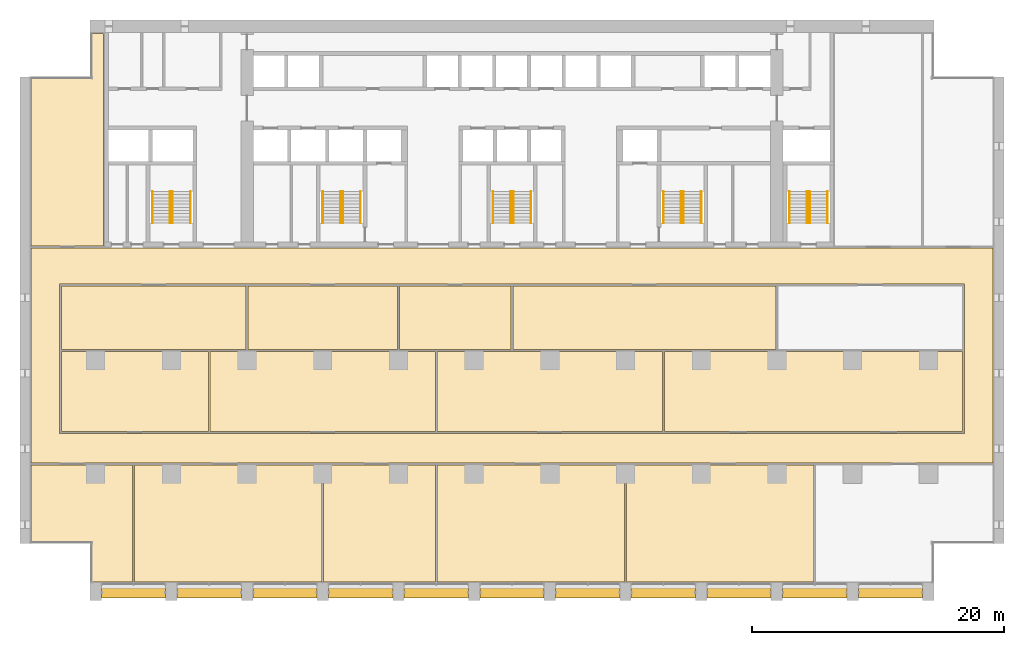
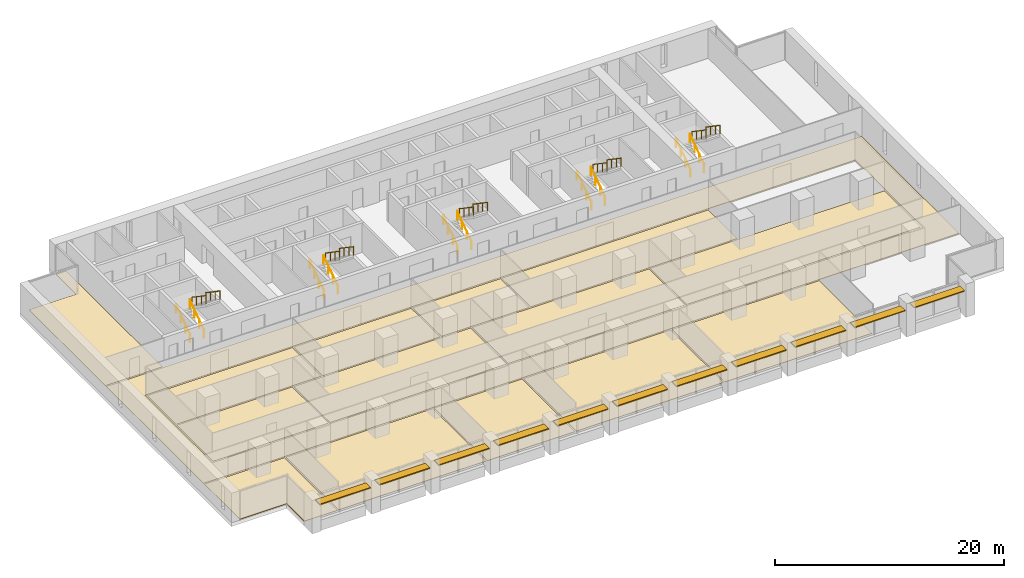
# One storey, part 17 of 18: 20 railings, 15 coverings, 11 shading devices, 5 elements without a shape of their own.
"""IFC4 building model written with IfcOpenShell, lengths in metres."""

from ifc_helpers import new_model, si_unit, direction, frame, origin, origin_2d, place, context, subcontext, project, spatial, polyline, rectangle, circle, outline, extrude, material, layer, layer_set, material_profile, profile_set, type_object, element, aggregate, save


model = new_model("IFC4")

# Units and contexts
model_context = context("Model", 3, precision=1e-05, world=origin(), true_north=direction((0.0, 1.0)))
body_context = subcontext(model_context, "Body", "Model", "MODEL_VIEW")
ifc_project = project(units=[si_unit("LENGTHUNIT", "METRE"), si_unit("AREAUNIT", "SQUARE_METRE"), si_unit("VOLUMEUNIT", "CUBIC_METRE"), si_unit("PLANEANGLEUNIT", "RADIAN"), si_unit("MASSUNIT", "GRAM", prefix="KILO")], contexts=[model_context])

# Site, building, storey
site_placement = place(None, origin())
site = spatial("IfcSite", under=ifc_project, at=site_placement, CompositionType="ELEMENT")
building_placement = place(site_placement, origin())
building = spatial("IfcBuilding", under=site, at=building_placement, Name="Calvaro Tower", CompositionType="ELEMENT")
storey_placement = place(building_placement, frame((0.0, 0.0, 86.25)))
storey = spatial("IfcBuildingStorey", under=building, at=storey_placement, Name="L21", CompositionType="ELEMENT", Elevation=86.25)

# Shading devices
ifc_material_1 = material(Name="Anodised aluminium", Category="aluminium")
ifc_material_profile = material_profile(ifc_material_1, rectangle(XDim=0.800048828125, YDim=0.10009765625, at=origin_2d()), Name="Brise-soleil blade 800 x 100")
ifc_profile_set = profile_set([ifc_material_profile], Name="Anodised aluminium")
shading_device_type = type_object("IfcShadingDeviceType", Name="Brise-soleil blade 800 x 100", PredefinedType="JALOUSIE", material=ifc_profile_set)
for number, where, z_axis, x_axis, name in (
    (1, (6.449951171875, 0.60009765625, 2.300048828125), (1.0, 0.0, 0.0), (0.0, 1.0, 0.0), "Brise-soleil blade 1"),
    (2, (12.449951171875, 0.60009765625, 2.300048828125), (1.0, 0.0, 0.0), (0.0, 1.0, 0.0), "Brise-soleil blade 2"),
    (3, (18.449951171875, 0.60009765625, 2.300048828125), (1.0, 0.0, 0.0), (0.0, 1.0, 0.0), "Brise-soleil blade 3"),
    (4, (24.449951171875, 0.60009765625, 2.300048828125), (1.0, 0.0, 0.0), (0.0, 1.0, 0.0), "Brise-soleil blade 4"),
    (5, (30.449951171875, 0.60009765625, 2.300048828125), (1.0, 0.0, 0.0), (0.0, 1.0, 0.0), "Brise-soleil blade 5"),
    (6, (36.449951171875, 0.60009765625, 2.300048828125), (1.0, 0.0, 0.0), (0.0, 1.0, 0.0), "Brise-soleil blade 6"),
    (7, (42.449951171875, 0.60009765625, 2.300048828125), (1.0, 0.0, 0.0), (0.0, 1.0, 0.0), "Brise-soleil blade 7"),
    (8, (48.449951171875, 0.60009765625, 2.300048828125), (1.0, 0.0, 0.0), (0.0, 1.0, 0.0), "Brise-soleil blade 8"),
    (9, (54.449951171875, 0.60009765625, 2.300048828125), (1.0, 0.0, 0.0), (0.0, 1.0, 0.0), "Brise-soleil blade 9"),
    (10, (60.449951171875, 0.60009765625, 2.300048828125), (1.0, 0.0, 0.0), (0.0, 1.0, 0.0), "Brise-soleil blade 10"),
    (11, (66.449951171875, 0.60009765625, 2.300048828125), (1.0, 0.0, 0.0), (0.0, 1.0, 0.0), "Brise-soleil blade 11"),
):
    element("IfcShadingDevice", number, at=place(storey_placement, frame(where, z_axis=z_axis, x_axis=x_axis)), inside=storey, type_object=shading_device_type, Name=name, PredefinedType="JALOUSIE", context=body_context, shape_type="SweptSolid", body=[
        extrude(rectangle(XDim=0.800048828125, YDim=0.10009765625, at=origin_2d()), origin(), (0.0, 0.0, 1.0), 5.10009765625),
    ])

# Coverings
ifc_material_2 = material(Name="Cement screed with carpet tile finish")
ifc_layer = layer(ifc_material_2, 0.050048828125)
ifc_layer_set = layer_set([ifc_layer], Name="Cement screed with carpet tile finish")
covering_type = type_object("IfcCoveringType", Name="Floor finish 50", PredefinedType="FLOORING", material=ifc_layer_set)
covering_1_placement = place(storey_placement, origin())
element("IfcCovering", 12, at=covering_1_placement, inside=storey, type_object=covering_type, Name="Floor finish 14.01", PredefinedType="FLOORING", context=body_context, shape_type="SweptSolid", body=[
    extrude(outline(polyline([(0.8701171875, 10.8701171875), (0.8701171875, 27.929931640625), (77.1298828125, 27.929931640625), (77.1298828125, 10.8701171875), (0.8701171875, 10.8701171875)]), holes=[polyline([(74.8701171875, 13.22998046875), (74.8701171875, 25.070068359375), (3.1298828125, 25.070068359375), (3.1298828125, 13.22998046875), (74.8701171875, 13.22998046875)])]), origin(), (0.0, 0.0, 1.0), 0.050048828125),
])
covering_2_placement = place(storey_placement, origin())
element("IfcCovering", 13, at=covering_2_placement, inside=storey, type_object=covering_type, Name="Floor finish 14.07", PredefinedType="FLOORING", context=body_context, shape_type="SweptSolid", body=[
    extrude(outline(polyline([(8.929931640625, 10.72998046875), (8.929931640625, 1.469970703125), (5.6201171875, 1.469970703125), (5.6201171875, 4.570068359375), (0.8701171875, 4.570068359375), (0.8701171875, 10.72998046875), (8.929931640625, 10.72998046875)])), origin(), (0.0, 0.0, 1.0), 0.050048828125),
])
covering_3_placement = place(storey_placement, origin())
element("IfcCovering", 14, at=covering_3_placement, inside=storey, type_object=covering_type, Name="Floor finish 14.02", PredefinedType="FLOORING", context=body_context, shape_type="SweptSolid", body=[
    extrude(outline(polyline([(9.070068359375, 10.72998046875), (23.929931640625, 10.72998046875), (23.929931640625, 1.469970703125), (9.070068359375, 1.469970703125), (9.070068359375, 10.72998046875)])), origin(), (0.0, 0.0, 1.0), 0.050048828125),
])
covering_4_placement = place(storey_placement, origin())
element("IfcCovering", 15, at=covering_4_placement, inside=storey, type_object=covering_type, Name="Floor finish 14.03", PredefinedType="FLOORING", context=body_context, shape_type="SweptSolid", body=[
    extrude(outline(polyline([(24.070068359375, 10.72998046875), (32.929931640625, 10.72998046875), (32.929931640625, 1.469970703125), (24.070068359375, 1.469970703125), (24.070068359375, 10.72998046875)])), origin(), (0.0, 0.0, 1.0), 0.050048828125),
])
covering_5_placement = place(storey_placement, origin())
element("IfcCovering", 16, at=covering_5_placement, inside=storey, type_object=covering_type, Name="Floor finish 14.04", PredefinedType="FLOORING", context=body_context, shape_type="SweptSolid", body=[
    extrude(outline(polyline([(33.070068359375, 10.72998046875), (47.929931640625, 10.72998046875), (47.929931640625, 1.469970703125), (33.070068359375, 1.469970703125), (33.070068359375, 10.72998046875)])), origin(), (0.0, 0.0, 1.0), 0.050048828125),
])
covering_6_placement = place(storey_placement, origin())
element("IfcCovering", 17, at=covering_6_placement, inside=storey, type_object=covering_type, Name="Floor finish 14.05", PredefinedType="FLOORING", context=body_context, shape_type="SweptSolid", body=[
    extrude(outline(polyline([(48.070068359375, 10.72998046875), (62.929931640625, 10.72998046875), (62.929931640625, 1.469970703125), (48.070068359375, 1.469970703125), (48.070068359375, 10.72998046875)])), origin(), (0.0, 0.0, 1.0), 0.050048828125),
])
covering_7_placement = place(storey_placement, origin())
element("IfcCovering", 18, at=covering_7_placement, inside=storey, type_object=covering_type, Name="Floor finish 14.08", PredefinedType="FLOORING", context=body_context, shape_type="SweptSolid", body=[
    extrude(outline(polyline([(3.27001953125, 13.3701171875), (3.27001953125, 19.72998046875), (14.929931640625, 19.72998046875), (14.929931640625, 13.3701171875), (3.27001953125, 13.3701171875)])), origin(), (0.0, 0.0, 1.0), 0.050048828125),
])
covering_8_placement = place(storey_placement, origin())
element("IfcCovering", 19, at=covering_8_placement, inside=storey, type_object=covering_type, Name="Floor finish 14.09", PredefinedType="FLOORING", context=body_context, shape_type="SweptSolid", body=[
    extrude(outline(polyline([(15.070068359375, 13.3701171875), (15.070068359375, 19.72998046875), (32.929931640625, 19.72998046875), (32.929931640625, 13.3701171875), (15.070068359375, 13.3701171875)])), origin(), (0.0, 0.0, 1.0), 0.050048828125),
])
covering_9_placement = place(storey_placement, origin())
element("IfcCovering", 20, at=covering_9_placement, inside=storey, type_object=covering_type, Name="Floor finish 14.10", PredefinedType="FLOORING", context=body_context, shape_type="SweptSolid", body=[
    extrude(outline(polyline([(33.070068359375, 13.3701171875), (33.070068359375, 19.72998046875), (50.929931640625, 19.72998046875), (50.929931640625, 13.3701171875), (33.070068359375, 13.3701171875)])), origin(), (0.0, 0.0, 1.0), 0.050048828125),
])
covering_10_placement = place(storey_placement, origin())
element("IfcCovering", 21, at=covering_10_placement, inside=storey, type_object=covering_type, Name="Floor finish 14.11", PredefinedType="FLOORING", context=body_context, shape_type="SweptSolid", body=[
    extrude(outline(polyline([(51.070068359375, 13.3701171875), (51.070068359375, 19.72998046875), (74.72998046875, 19.72998046875), (74.72998046875, 13.3701171875), (51.070068359375, 13.3701171875)])), origin(), (0.0, 0.0, 1.0), 0.050048828125),
])
covering_11_placement = place(storey_placement, origin())
element("IfcCovering", 22, at=covering_11_placement, inside=storey, type_object=covering_type, Name="Floor finish 14.12", PredefinedType="FLOORING", context=body_context, shape_type="SweptSolid", body=[
    extrude(outline(polyline([(3.27001953125, 19.8701171875), (3.27001953125, 24.929931640625), (17.929931640625, 24.929931640625), (17.929931640625, 19.8701171875), (3.27001953125, 19.8701171875)])), origin(), (0.0, 0.0, 1.0), 0.050048828125),
])
covering_12_placement = place(storey_placement, origin())
element("IfcCovering", 23, at=covering_12_placement, inside=storey, type_object=covering_type, Name="Floor finish 14.13", PredefinedType="FLOORING", context=body_context, shape_type="SweptSolid", body=[
    extrude(outline(polyline([(18.070068359375, 19.8701171875), (18.070068359375, 24.929931640625), (29.929931640625, 24.929931640625), (29.929931640625, 19.8701171875), (18.070068359375, 19.8701171875)])), origin(), (0.0, 0.0, 1.0), 0.050048828125),
])
covering_13_placement = place(storey_placement, origin())
element("IfcCovering", 24, at=covering_13_placement, inside=storey, type_object=covering_type, Name="Floor finish 14.14", PredefinedType="FLOORING", context=body_context, shape_type="SweptSolid", body=[
    extrude(outline(polyline([(30.070068359375, 19.8701171875), (30.070068359375, 24.929931640625), (38.929931640625, 24.929931640625), (38.929931640625, 19.8701171875), (30.070068359375, 19.8701171875)])), origin(), (0.0, 0.0, 1.0), 0.050048828125),
])
covering_14_placement = place(storey_placement, origin())
element("IfcCovering", 25, at=covering_14_placement, inside=storey, type_object=covering_type, Name="Floor finish 14.15", PredefinedType="FLOORING", context=body_context, shape_type="SweptSolid", body=[
    extrude(outline(polyline([(39.070068359375, 19.8701171875), (39.070068359375, 24.929931640625), (59.929931640625, 24.929931640625), (59.929931640625, 19.8701171875), (39.070068359375, 19.8701171875)])), origin(), (0.0, 0.0, 1.0), 0.050048828125),
])
covering_15_placement = place(storey_placement, origin())
element("IfcCovering", 26, at=covering_15_placement, inside=storey, type_object=covering_type, Name="Floor finish 14.18", PredefinedType="FLOORING", context=body_context, shape_type="SweptSolid", body=[
    extrude(outline(polyline([(6.6298828125, 28.070068359375), (0.8701171875, 28.070068359375), (0.8701171875, 41.429931640625), (5.6201171875, 41.429931640625), (5.6201171875, 44.929931640625), (6.6298828125, 44.929931640625), (6.6298828125, 28.070068359375)])), origin(), (0.0, 0.0, 1.0), 0.050048828125),
])

# Stair, railings
ifc_material_3 = material(Name="Concrete C40/50", Category="concrete")
stair_type = type_object("IfcStairType", Name="Exit stair 1400 2 flights", PredefinedType="HALF_TURN_STAIR", material=ifc_material_3)
stair_1_placement = place(storey_placement, origin())
stair_1 = element("IfcStair", 27, at=stair_1_placement, inside=storey, type_object=stair_type, Name="Exit stair S1", PredefinedType="HALF_TURN_STAIR")
ifc_material_4 = material(Name="Stainless steel", Category="steel")
railing_type = type_object("IfcRailingType", Name="Stair handrail", PredefinedType="HANDRAIL", material=ifc_material_4)
railing_1_placement = place(storey_placement, frame((11.89990234375, 29.89990234375, 0.17041015625)))
railing_1 = element("IfcRailing", 28, at=railing_1_placement, type_object=railing_type, Name="Exit stair 1 handrail", PredefinedType="HANDRAIL", context=body_context, shape_type="SweptSolid", body=[
    extrude(circle(Radius=0.02392578125, at=origin_2d()), frame((0.0, 0.0, 0.8759765625), z_axis=(0.0, 0.826220514629, 0.563346839174), x_axis=(-1.0, 0.0, 0.0)), (0.0, 0.0, 1.0), 3.02587890625),
    extrude(circle(Radius=0.02099609375, at=origin_2d()), frame((0.0, 0.017333984375, 0.01171875)), (0.0, 0.0, 1.0), 0.851806640625),
    extrude(circle(Radius=0.02099609375, at=origin_2d()), frame((0.0, 0.833251953125, 0.568115234375)), (0.0, 0.0, 1.0), 0.851806640625),
    extrude(circle(Radius=0.02099609375, at=origin_2d()), frame((0.0, 1.666748046875, 1.136474609375)), (0.0, 0.0, 1.0), 0.851806640625),
    extrude(circle(Radius=0.02099609375, at=origin_2d()), frame((0.0, 2.482666015625, 1.69287109375)), (0.0, 0.0, 1.0), 0.851806640625),
])
railing_2_placement = place(storey_placement, frame((10.5, 29.89990234375, 0.17041015625)))
railing_2 = element("IfcRailing", 29, at=railing_2_placement, type_object=railing_type, Name="Exit stair 1 handrail", PredefinedType="HANDRAIL", context=body_context, shape_type="SweptSolid", body=[
    extrude(circle(Radius=0.02392578125, at=origin_2d()), frame((0.0, 0.0, 0.8759765625), z_axis=(0.0, 0.826220514629, 0.563346839174), x_axis=(-1.0, 0.0, 0.0)), (0.0, 0.0, 1.0), 3.02587890625),
    extrude(circle(Radius=0.02099609375, at=origin_2d()), frame((0.0, 0.017333984375, 0.01171875)), (0.0, 0.0, 1.0), 0.851806640625),
    extrude(circle(Radius=0.02099609375, at=origin_2d()), frame((0.0, 0.833251953125, 0.568115234375)), (0.0, 0.0, 1.0), 0.851806640625),
    extrude(circle(Radius=0.02099609375, at=origin_2d()), frame((0.0, 1.666748046875, 1.136474609375)), (0.0, 0.0, 1.0), 0.851806640625),
    extrude(circle(Radius=0.02099609375, at=origin_2d()), frame((0.0, 2.482666015625, 1.69287109375)), (0.0, 0.0, 1.0), 0.851806640625),
])
railing_3_placement = place(storey_placement, frame((12.10009765625, 32.39990234375, 2.04541015625)))
railing_3 = element("IfcRailing", 30, at=railing_3_placement, type_object=railing_type, Name="Exit stair 1 handrail", PredefinedType="HANDRAIL", context=body_context, shape_type="SweptSolid", body=[
    extrude(circle(Radius=0.02392578125, at=origin_2d()), frame((0.0, 0.0, 0.8759765625), z_axis=(0.0, -0.826220514629, 0.563346839174), x_axis=(1.0, 0.0, 0.0)), (0.0, 0.0, 1.0), 3.02587890625),
    extrude(circle(Radius=0.02099609375, at=origin_2d()), frame((0.0, -0.017333984375, 0.01171875)), (0.0, 0.0, 1.0), 0.851806640625),
    extrude(circle(Radius=0.02099609375, at=origin_2d()), frame((0.0, -0.833251953125, 0.568115234375)), (0.0, 0.0, 1.0), 0.851806640625),
    extrude(circle(Radius=0.02099609375, at=origin_2d()), frame((0.0, -1.666748046875, 1.136474609375)), (0.0, 0.0, 1.0), 0.851806640625),
    extrude(circle(Radius=0.02099609375, at=origin_2d()), frame((0.0, -2.482666015625, 1.69287109375)), (0.0, 0.0, 1.0), 0.851806640625),
])
railing_4_placement = place(storey_placement, frame((13.5, 32.39990234375, 2.04541015625)))
railing_4 = element("IfcRailing", 31, at=railing_4_placement, type_object=railing_type, Name="Exit stair 1 handrail", PredefinedType="HANDRAIL", context=body_context, shape_type="SweptSolid", body=[
    extrude(circle(Radius=0.02392578125, at=origin_2d()), frame((0.0, 0.0, 0.8759765625), z_axis=(0.0, -0.826220514629, 0.563346839174), x_axis=(1.0, 0.0, 0.0)), (0.0, 0.0, 1.0), 3.02587890625),
    extrude(circle(Radius=0.02099609375, at=origin_2d()), frame((0.0, -0.017333984375, 0.01171875)), (0.0, 0.0, 1.0), 0.851806640625),
    extrude(circle(Radius=0.02099609375, at=origin_2d()), frame((0.0, -0.833251953125, 0.568115234375)), (0.0, 0.0, 1.0), 0.851806640625),
    extrude(circle(Radius=0.02099609375, at=origin_2d()), frame((0.0, -1.666748046875, 1.136474609375)), (0.0, 0.0, 1.0), 0.851806640625),
    extrude(circle(Radius=0.02099609375, at=origin_2d()), frame((0.0, -2.482666015625, 1.69287109375)), (0.0, 0.0, 1.0), 0.851806640625),
])
aggregate(stair_1, [railing_1, railing_2, railing_3, railing_4])

stair_2_placement = place(storey_placement, origin())
stair_2 = element("IfcStair", 32, at=stair_2_placement, inside=storey, type_object=stair_type, Name="Exit stair S2", PredefinedType="HALF_TURN_STAIR")
railing_5_placement = place(storey_placement, frame((25.39990234375, 29.89990234375, 0.17041015625)))
railing_5 = element("IfcRailing", 33, at=railing_5_placement, type_object=railing_type, Name="Exit stair 2 handrail", PredefinedType="HANDRAIL", context=body_context, shape_type="SweptSolid", body=[
    extrude(circle(Radius=0.02392578125, at=origin_2d()), frame((0.0, 0.0, 0.8759765625), z_axis=(0.0, 0.826220514629, 0.563346839174), x_axis=(-1.0, 0.0, 0.0)), (0.0, 0.0, 1.0), 3.02587890625),
    extrude(circle(Radius=0.02099609375, at=origin_2d()), frame((0.0, 0.017333984375, 0.01171875)), (0.0, 0.0, 1.0), 0.851806640625),
    extrude(circle(Radius=0.02099609375, at=origin_2d()), frame((0.0, 0.833251953125, 0.568115234375)), (0.0, 0.0, 1.0), 0.851806640625),
    extrude(circle(Radius=0.02099609375, at=origin_2d()), frame((0.0, 1.666748046875, 1.136474609375)), (0.0, 0.0, 1.0), 0.851806640625),
    extrude(circle(Radius=0.02099609375, at=origin_2d()), frame((0.0, 2.482666015625, 1.69287109375)), (0.0, 0.0, 1.0), 0.851806640625),
])
railing_6_placement = place(storey_placement, frame((24.0, 29.89990234375, 0.17041015625)))
railing_6 = element("IfcRailing", 34, at=railing_6_placement, type_object=railing_type, Name="Exit stair 2 handrail", PredefinedType="HANDRAIL", context=body_context, shape_type="SweptSolid", body=[
    extrude(circle(Radius=0.02392578125, at=origin_2d()), frame((0.0, 0.0, 0.8759765625), z_axis=(0.0, 0.826220514629, 0.563346839174), x_axis=(-1.0, 0.0, 0.0)), (0.0, 0.0, 1.0), 3.02587890625),
    extrude(circle(Radius=0.02099609375, at=origin_2d()), frame((0.0, 0.017333984375, 0.01171875)), (0.0, 0.0, 1.0), 0.851806640625),
    extrude(circle(Radius=0.02099609375, at=origin_2d()), frame((0.0, 0.833251953125, 0.568115234375)), (0.0, 0.0, 1.0), 0.851806640625),
    extrude(circle(Radius=0.02099609375, at=origin_2d()), frame((0.0, 1.666748046875, 1.136474609375)), (0.0, 0.0, 1.0), 0.851806640625),
    extrude(circle(Radius=0.02099609375, at=origin_2d()), frame((0.0, 2.482666015625, 1.69287109375)), (0.0, 0.0, 1.0), 0.851806640625),
])
railing_7_placement = place(storey_placement, frame((25.60009765625, 32.39990234375, 2.04541015625)))
railing_7 = element("IfcRailing", 35, at=railing_7_placement, type_object=railing_type, Name="Exit stair 2 handrail", PredefinedType="HANDRAIL", context=body_context, shape_type="SweptSolid", body=[
    extrude(circle(Radius=0.02392578125, at=origin_2d()), frame((0.0, 0.0, 0.8759765625), z_axis=(0.0, -0.826220514629, 0.563346839174), x_axis=(1.0, 0.0, 0.0)), (0.0, 0.0, 1.0), 3.02587890625),
    extrude(circle(Radius=0.02099609375, at=origin_2d()), frame((0.0, -0.017333984375, 0.01171875)), (0.0, 0.0, 1.0), 0.851806640625),
    extrude(circle(Radius=0.02099609375, at=origin_2d()), frame((0.0, -0.833251953125, 0.568115234375)), (0.0, 0.0, 1.0), 0.851806640625),
    extrude(circle(Radius=0.02099609375, at=origin_2d()), frame((0.0, -1.666748046875, 1.136474609375)), (0.0, 0.0, 1.0), 0.851806640625),
    extrude(circle(Radius=0.02099609375, at=origin_2d()), frame((0.0, -2.482666015625, 1.69287109375)), (0.0, 0.0, 1.0), 0.851806640625),
])
railing_8_placement = place(storey_placement, frame((27.0, 32.39990234375, 2.04541015625)))
railing_8 = element("IfcRailing", 36, at=railing_8_placement, type_object=railing_type, Name="Exit stair 2 handrail", PredefinedType="HANDRAIL", context=body_context, shape_type="SweptSolid", body=[
    extrude(circle(Radius=0.02392578125, at=origin_2d()), frame((0.0, 0.0, 0.8759765625), z_axis=(0.0, -0.826220514629, 0.563346839174), x_axis=(1.0, 0.0, 0.0)), (0.0, 0.0, 1.0), 3.02587890625),
    extrude(circle(Radius=0.02099609375, at=origin_2d()), frame((0.0, -0.017333984375, 0.01171875)), (0.0, 0.0, 1.0), 0.851806640625),
    extrude(circle(Radius=0.02099609375, at=origin_2d()), frame((0.0, -0.833251953125, 0.568115234375)), (0.0, 0.0, 1.0), 0.851806640625),
    extrude(circle(Radius=0.02099609375, at=origin_2d()), frame((0.0, -1.666748046875, 1.136474609375)), (0.0, 0.0, 1.0), 0.851806640625),
    extrude(circle(Radius=0.02099609375, at=origin_2d()), frame((0.0, -2.482666015625, 1.69287109375)), (0.0, 0.0, 1.0), 0.851806640625),
])
aggregate(stair_2, [railing_5, railing_6, railing_7, railing_8])

stair_3_placement = place(storey_placement, origin())
stair_3 = element("IfcStair", 37, at=stair_3_placement, inside=storey, type_object=stair_type, Name="Exit stair S3", PredefinedType="HALF_TURN_STAIR")
railing_9_placement = place(storey_placement, frame((38.89990234375, 29.89990234375, 0.17041015625)))
railing_9 = element("IfcRailing", 38, at=railing_9_placement, type_object=railing_type, Name="Exit stair 3 handrail", PredefinedType="HANDRAIL", context=body_context, shape_type="SweptSolid", body=[
    extrude(circle(Radius=0.02392578125, at=origin_2d()), frame((0.0, 0.0, 0.8759765625), z_axis=(0.0, 0.826220514629, 0.563346839174), x_axis=(-1.0, 0.0, 0.0)), (0.0, 0.0, 1.0), 3.02587890625),
    extrude(circle(Radius=0.02099609375, at=origin_2d()), frame((0.0, 0.017333984375, 0.01171875)), (0.0, 0.0, 1.0), 0.851806640625),
    extrude(circle(Radius=0.02099609375, at=origin_2d()), frame((0.0, 0.833251953125, 0.568115234375)), (0.0, 0.0, 1.0), 0.851806640625),
    extrude(circle(Radius=0.02099609375, at=origin_2d()), frame((0.0, 1.666748046875, 1.136474609375)), (0.0, 0.0, 1.0), 0.851806640625),
    extrude(circle(Radius=0.02099609375, at=origin_2d()), frame((0.0, 2.482666015625, 1.69287109375)), (0.0, 0.0, 1.0), 0.851806640625),
])
railing_10_placement = place(storey_placement, frame((37.5, 29.89990234375, 0.17041015625)))
railing_10 = element("IfcRailing", 39, at=railing_10_placement, type_object=railing_type, Name="Exit stair 3 handrail", PredefinedType="HANDRAIL", context=body_context, shape_type="SweptSolid", body=[
    extrude(circle(Radius=0.02392578125, at=origin_2d()), frame((0.0, 0.0, 0.8759765625), z_axis=(0.0, 0.826220514629, 0.563346839174), x_axis=(-1.0, 0.0, 0.0)), (0.0, 0.0, 1.0), 3.02587890625),
    extrude(circle(Radius=0.02099609375, at=origin_2d()), frame((0.0, 0.017333984375, 0.01171875)), (0.0, 0.0, 1.0), 0.851806640625),
    extrude(circle(Radius=0.02099609375, at=origin_2d()), frame((0.0, 0.833251953125, 0.568115234375)), (0.0, 0.0, 1.0), 0.851806640625),
    extrude(circle(Radius=0.02099609375, at=origin_2d()), frame((0.0, 1.666748046875, 1.136474609375)), (0.0, 0.0, 1.0), 0.851806640625),
    extrude(circle(Radius=0.02099609375, at=origin_2d()), frame((0.0, 2.482666015625, 1.69287109375)), (0.0, 0.0, 1.0), 0.851806640625),
])
railing_11_placement = place(storey_placement, frame((39.10009765625, 32.39990234375, 2.04541015625)))
railing_11 = element("IfcRailing", 40, at=railing_11_placement, type_object=railing_type, Name="Exit stair 3 handrail", PredefinedType="HANDRAIL", context=body_context, shape_type="SweptSolid", body=[
    extrude(circle(Radius=0.02392578125, at=origin_2d()), frame((0.0, 0.0, 0.8759765625), z_axis=(0.0, -0.826220514629, 0.563346839174), x_axis=(1.0, 0.0, 0.0)), (0.0, 0.0, 1.0), 3.02587890625),
    extrude(circle(Radius=0.02099609375, at=origin_2d()), frame((0.0, -0.017333984375, 0.01171875)), (0.0, 0.0, 1.0), 0.851806640625),
    extrude(circle(Radius=0.02099609375, at=origin_2d()), frame((0.0, -0.833251953125, 0.568115234375)), (0.0, 0.0, 1.0), 0.851806640625),
    extrude(circle(Radius=0.02099609375, at=origin_2d()), frame((0.0, -1.666748046875, 1.136474609375)), (0.0, 0.0, 1.0), 0.851806640625),
    extrude(circle(Radius=0.02099609375, at=origin_2d()), frame((0.0, -2.482666015625, 1.69287109375)), (0.0, 0.0, 1.0), 0.851806640625),
])
railing_12_placement = place(storey_placement, frame((40.5, 32.39990234375, 2.04541015625)))
railing_12 = element("IfcRailing", 41, at=railing_12_placement, type_object=railing_type, Name="Exit stair 3 handrail", PredefinedType="HANDRAIL", context=body_context, shape_type="SweptSolid", body=[
    extrude(circle(Radius=0.02392578125, at=origin_2d()), frame((0.0, 0.0, 0.8759765625), z_axis=(0.0, -0.826220514629, 0.563346839174), x_axis=(1.0, 0.0, 0.0)), (0.0, 0.0, 1.0), 3.02587890625),
    extrude(circle(Radius=0.02099609375, at=origin_2d()), frame((0.0, -0.017333984375, 0.01171875)), (0.0, 0.0, 1.0), 0.851806640625),
    extrude(circle(Radius=0.02099609375, at=origin_2d()), frame((0.0, -0.833251953125, 0.568115234375)), (0.0, 0.0, 1.0), 0.851806640625),
    extrude(circle(Radius=0.02099609375, at=origin_2d()), frame((0.0, -1.666748046875, 1.136474609375)), (0.0, 0.0, 1.0), 0.851806640625),
    extrude(circle(Radius=0.02099609375, at=origin_2d()), frame((0.0, -2.482666015625, 1.69287109375)), (0.0, 0.0, 1.0), 0.851806640625),
])
aggregate(stair_3, [railing_9, railing_10, railing_11, railing_12])

stair_4_placement = place(storey_placement, origin())
stair_4 = element("IfcStair", 42, at=stair_4_placement, inside=storey, type_object=stair_type, Name="Exit stair S4", PredefinedType="HALF_TURN_STAIR")
railing_13_placement = place(storey_placement, frame((52.39990234375, 29.89990234375, 0.17041015625)))
railing_13 = element("IfcRailing", 43, at=railing_13_placement, type_object=railing_type, Name="Exit stair 4 handrail", PredefinedType="HANDRAIL", context=body_context, shape_type="SweptSolid", body=[
    extrude(circle(Radius=0.02392578125, at=origin_2d()), frame((0.0, 0.0, 0.8759765625), z_axis=(0.0, 0.826220514629, 0.563346839174), x_axis=(-1.0, 0.0, 0.0)), (0.0, 0.0, 1.0), 3.02587890625),
    extrude(circle(Radius=0.02099609375, at=origin_2d()), frame((0.0, 0.017333984375, 0.01171875)), (0.0, 0.0, 1.0), 0.851806640625),
    extrude(circle(Radius=0.02099609375, at=origin_2d()), frame((0.0, 0.833251953125, 0.568115234375)), (0.0, 0.0, 1.0), 0.851806640625),
    extrude(circle(Radius=0.02099609375, at=origin_2d()), frame((0.0, 1.666748046875, 1.136474609375)), (0.0, 0.0, 1.0), 0.851806640625),
    extrude(circle(Radius=0.02099609375, at=origin_2d()), frame((0.0, 2.482666015625, 1.69287109375)), (0.0, 0.0, 1.0), 0.851806640625),
])
railing_14_placement = place(storey_placement, frame((51.0, 29.89990234375, 0.17041015625)))
railing_14 = element("IfcRailing", 44, at=railing_14_placement, type_object=railing_type, Name="Exit stair 4 handrail", PredefinedType="HANDRAIL", context=body_context, shape_type="SweptSolid", body=[
    extrude(circle(Radius=0.02392578125, at=origin_2d()), frame((0.0, 0.0, 0.8759765625), z_axis=(0.0, 0.826220514629, 0.563346839174), x_axis=(-1.0, 0.0, 0.0)), (0.0, 0.0, 1.0), 3.02587890625),
    extrude(circle(Radius=0.02099609375, at=origin_2d()), frame((0.0, 0.017333984375, 0.01171875)), (0.0, 0.0, 1.0), 0.851806640625),
    extrude(circle(Radius=0.02099609375, at=origin_2d()), frame((0.0, 0.833251953125, 0.568115234375)), (0.0, 0.0, 1.0), 0.851806640625),
    extrude(circle(Radius=0.02099609375, at=origin_2d()), frame((0.0, 1.666748046875, 1.136474609375)), (0.0, 0.0, 1.0), 0.851806640625),
    extrude(circle(Radius=0.02099609375, at=origin_2d()), frame((0.0, 2.482666015625, 1.69287109375)), (0.0, 0.0, 1.0), 0.851806640625),
])
railing_15_placement = place(storey_placement, frame((52.60009765625, 32.39990234375, 2.04541015625)))
railing_15 = element("IfcRailing", 45, at=railing_15_placement, type_object=railing_type, Name="Exit stair 4 handrail", PredefinedType="HANDRAIL", context=body_context, shape_type="SweptSolid", body=[
    extrude(circle(Radius=0.02392578125, at=origin_2d()), frame((0.0, 0.0, 0.8759765625), z_axis=(0.0, -0.826220514629, 0.563346839174), x_axis=(1.0, 0.0, 0.0)), (0.0, 0.0, 1.0), 3.02587890625),
    extrude(circle(Radius=0.02099609375, at=origin_2d()), frame((0.0, -0.017333984375, 0.01171875)), (0.0, 0.0, 1.0), 0.851806640625),
    extrude(circle(Radius=0.02099609375, at=origin_2d()), frame((0.0, -0.833251953125, 0.568115234375)), (0.0, 0.0, 1.0), 0.851806640625),
    extrude(circle(Radius=0.02099609375, at=origin_2d()), frame((0.0, -1.666748046875, 1.136474609375)), (0.0, 0.0, 1.0), 0.851806640625),
    extrude(circle(Radius=0.02099609375, at=origin_2d()), frame((0.0, -2.482666015625, 1.69287109375)), (0.0, 0.0, 1.0), 0.851806640625),
])
railing_16_placement = place(storey_placement, frame((54.0, 32.39990234375, 2.04541015625)))
railing_16 = element("IfcRailing", 46, at=railing_16_placement, type_object=railing_type, Name="Exit stair 4 handrail", PredefinedType="HANDRAIL", context=body_context, shape_type="SweptSolid", body=[
    extrude(circle(Radius=0.02392578125, at=origin_2d()), frame((0.0, 0.0, 0.8759765625), z_axis=(0.0, -0.826220514629, 0.563346839174), x_axis=(1.0, 0.0, 0.0)), (0.0, 0.0, 1.0), 3.02587890625),
    extrude(circle(Radius=0.02099609375, at=origin_2d()), frame((0.0, -0.017333984375, 0.01171875)), (0.0, 0.0, 1.0), 0.851806640625),
    extrude(circle(Radius=0.02099609375, at=origin_2d()), frame((0.0, -0.833251953125, 0.568115234375)), (0.0, 0.0, 1.0), 0.851806640625),
    extrude(circle(Radius=0.02099609375, at=origin_2d()), frame((0.0, -1.666748046875, 1.136474609375)), (0.0, 0.0, 1.0), 0.851806640625),
    extrude(circle(Radius=0.02099609375, at=origin_2d()), frame((0.0, -2.482666015625, 1.69287109375)), (0.0, 0.0, 1.0), 0.851806640625),
])
aggregate(stair_4, [railing_13, railing_14, railing_15, railing_16])

stair_5_placement = place(storey_placement, origin())
stair_5 = element("IfcStair", 47, at=stair_5_placement, inside=storey, type_object=stair_type, Name="Exit stair S5", PredefinedType="HALF_TURN_STAIR")
railing_17_placement = place(storey_placement, frame((62.39990234375, 29.89990234375, 0.17041015625)))
railing_17 = element("IfcRailing", 48, at=railing_17_placement, type_object=railing_type, Name="Exit stair 5 handrail", PredefinedType="HANDRAIL", context=body_context, shape_type="SweptSolid", body=[
    extrude(circle(Radius=0.02392578125, at=origin_2d()), frame((0.0, 0.0, 0.8759765625), z_axis=(0.0, 0.826220514629, 0.563346839174), x_axis=(-1.0, 0.0, 0.0)), (0.0, 0.0, 1.0), 3.02587890625),
    extrude(circle(Radius=0.02099609375, at=origin_2d()), frame((0.0, 0.017333984375, 0.01171875)), (0.0, 0.0, 1.0), 0.851806640625),
    extrude(circle(Radius=0.02099609375, at=origin_2d()), frame((0.0, 0.833251953125, 0.568115234375)), (0.0, 0.0, 1.0), 0.851806640625),
    extrude(circle(Radius=0.02099609375, at=origin_2d()), frame((0.0, 1.666748046875, 1.136474609375)), (0.0, 0.0, 1.0), 0.851806640625),
    extrude(circle(Radius=0.02099609375, at=origin_2d()), frame((0.0, 2.482666015625, 1.69287109375)), (0.0, 0.0, 1.0), 0.851806640625),
])
railing_18_placement = place(storey_placement, frame((61.0, 29.89990234375, 0.17041015625)))
railing_18 = element("IfcRailing", 49, at=railing_18_placement, type_object=railing_type, Name="Exit stair 5 handrail", PredefinedType="HANDRAIL", context=body_context, shape_type="SweptSolid", body=[
    extrude(circle(Radius=0.02392578125, at=origin_2d()), frame((0.0, 0.0, 0.8759765625), z_axis=(0.0, 0.826220514629, 0.563346839174), x_axis=(-1.0, 0.0, 0.0)), (0.0, 0.0, 1.0), 3.02587890625),
    extrude(circle(Radius=0.02099609375, at=origin_2d()), frame((0.0, 0.017333984375, 0.01171875)), (0.0, 0.0, 1.0), 0.851806640625),
    extrude(circle(Radius=0.02099609375, at=origin_2d()), frame((0.0, 0.833251953125, 0.568115234375)), (0.0, 0.0, 1.0), 0.851806640625),
    extrude(circle(Radius=0.02099609375, at=origin_2d()), frame((0.0, 1.666748046875, 1.136474609375)), (0.0, 0.0, 1.0), 0.851806640625),
    extrude(circle(Radius=0.02099609375, at=origin_2d()), frame((0.0, 2.482666015625, 1.69287109375)), (0.0, 0.0, 1.0), 0.851806640625),
])
railing_19_placement = place(storey_placement, frame((62.60009765625, 32.39990234375, 2.04541015625)))
railing_19 = element("IfcRailing", 50, at=railing_19_placement, type_object=railing_type, Name="Exit stair 5 handrail", PredefinedType="HANDRAIL", context=body_context, shape_type="SweptSolid", body=[
    extrude(circle(Radius=0.02392578125, at=origin_2d()), frame((0.0, 0.0, 0.8759765625), z_axis=(0.0, -0.826220514629, 0.563346839174), x_axis=(1.0, 0.0, 0.0)), (0.0, 0.0, 1.0), 3.02587890625),
    extrude(circle(Radius=0.02099609375, at=origin_2d()), frame((0.0, -0.017333984375, 0.01171875)), (0.0, 0.0, 1.0), 0.851806640625),
    extrude(circle(Radius=0.02099609375, at=origin_2d()), frame((0.0, -0.833251953125, 0.568115234375)), (0.0, 0.0, 1.0), 0.851806640625),
    extrude(circle(Radius=0.02099609375, at=origin_2d()), frame((0.0, -1.666748046875, 1.136474609375)), (0.0, 0.0, 1.0), 0.851806640625),
    extrude(circle(Radius=0.02099609375, at=origin_2d()), frame((0.0, -2.482666015625, 1.69287109375)), (0.0, 0.0, 1.0), 0.851806640625),
])
railing_20_placement = place(storey_placement, frame((64.0, 32.39990234375, 2.04541015625)))
railing_20 = element("IfcRailing", 51, at=railing_20_placement, type_object=railing_type, Name="Exit stair 5 handrail", PredefinedType="HANDRAIL", context=body_context, shape_type="SweptSolid", body=[
    extrude(circle(Radius=0.02392578125, at=origin_2d()), frame((0.0, 0.0, 0.8759765625), z_axis=(0.0, -0.826220514629, 0.563346839174), x_axis=(1.0, 0.0, 0.0)), (0.0, 0.0, 1.0), 3.02587890625),
    extrude(circle(Radius=0.02099609375, at=origin_2d()), frame((0.0, -0.017333984375, 0.01171875)), (0.0, 0.0, 1.0), 0.851806640625),
    extrude(circle(Radius=0.02099609375, at=origin_2d()), frame((0.0, -0.833251953125, 0.568115234375)), (0.0, 0.0, 1.0), 0.851806640625),
    extrude(circle(Radius=0.02099609375, at=origin_2d()), frame((0.0, -1.666748046875, 1.136474609375)), (0.0, 0.0, 1.0), 0.851806640625),
    extrude(circle(Radius=0.02099609375, at=origin_2d()), frame((0.0, -2.482666015625, 1.69287109375)), (0.0, 0.0, 1.0), 0.851806640625),
])
aggregate(stair_5, [railing_17, railing_18, railing_19, railing_20])

save(model, "model.ifc")
